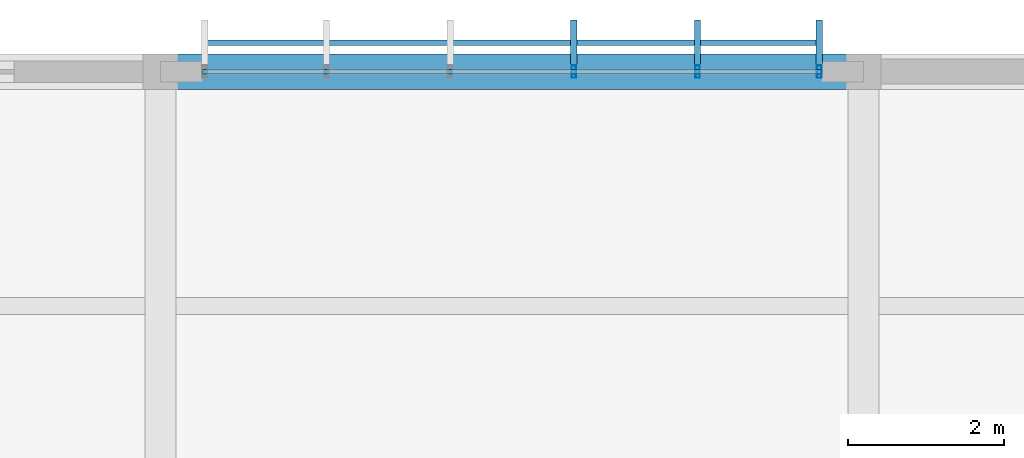
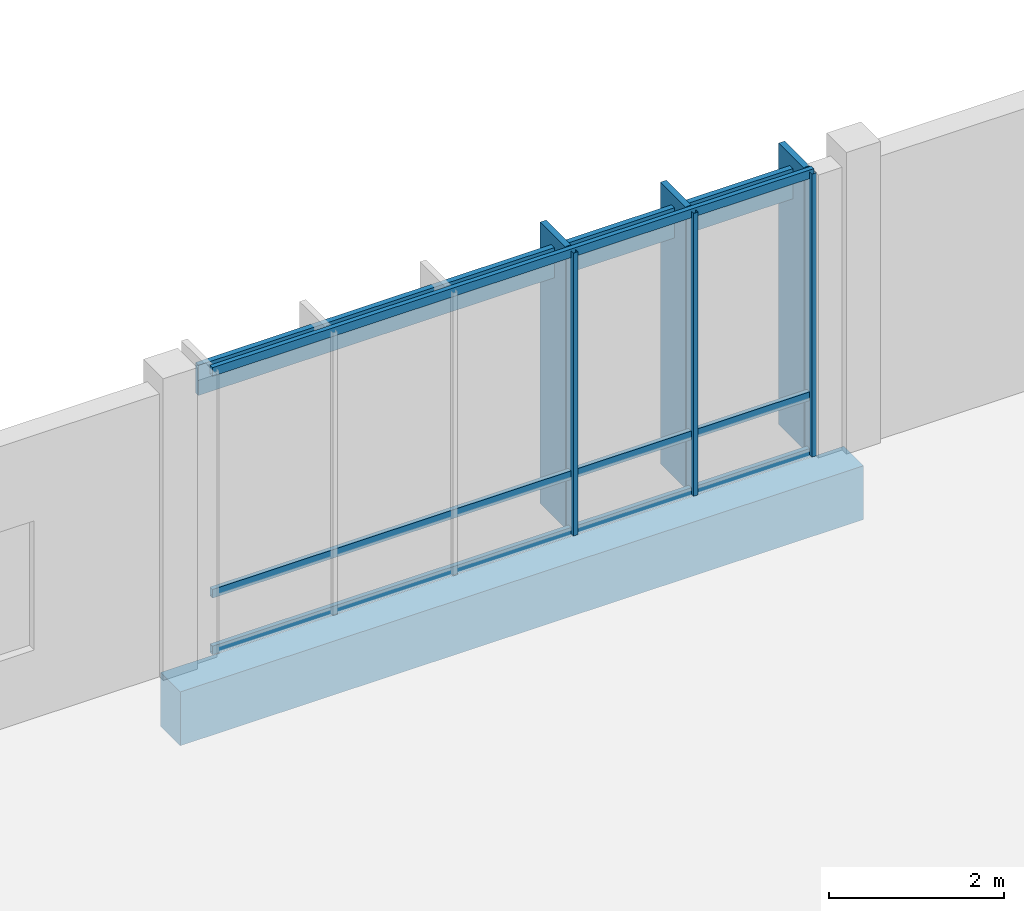
# One storey, part 69 of 94: 10 members, 1 beam, 1 element without a shape of its own.
"""IFC4 building model written with IfcOpenShell, lengths in metres."""

from ifc_helpers import new_model, si_unit, direction, frame, origin, origin_2d, place, context, subcontext, project, spatial, rectangle, hollow_rectangle, extrude, material, material_profile, profile_set, type_object, element, aggregate, save


model = new_model("IFC4")

# Units and contexts
model_context = context("Model", 3, precision=1e-05, world=origin(), true_north=direction((0.0, 1.0)))
body_context = subcontext(model_context, "Body", "Model", "MODEL_VIEW")
ifc_project = project(units=[si_unit("LENGTHUNIT", "METRE"), si_unit("AREAUNIT", "SQUARE_METRE"), si_unit("VOLUMEUNIT", "CUBIC_METRE"), si_unit("PLANEANGLEUNIT", "RADIAN"), si_unit("MASSUNIT", "GRAM", prefix="KILO")], contexts=[model_context])

# Site, building, storey
site_placement = place(None, origin())
site = spatial("IfcSite", under=ifc_project, at=site_placement, CompositionType="ELEMENT")
building_placement = place(site_placement, origin())
building = spatial("IfcBuilding", under=site, at=building_placement, Name="Chiffa Square Polytechnic", CompositionType="ELEMENT")
storey_placement = place(building_placement, frame((0.0, 0.0, 18.0)))
storey = spatial("IfcBuildingStorey", under=building, at=storey_placement, Name="L04", CompositionType="ELEMENT", Elevation=18.0)

# Beam
ifc_material_1 = material(Name="Concrete C35/45", Category="concrete")
ifc_material_profile_1 = material_profile(ifc_material_1, rectangle(XDim=0.449951171875, YDim=0.75, at=origin_2d()), Name="RC 450x750")
ifc_profile_set_1 = profile_set([ifc_material_profile_1], Name="Concrete C35/45")
beam_type = type_object("IfcBeamType", Name="BM-RC-450X750", PredefinedType="BEAM", material=ifc_profile_set_1)
beam_placement = place(storey_placement, frame((93.60009765625, 130.800048828125, -0.614990234375), z_axis=(1.0, 0.0, 0.0), x_axis=(0.0, 1.0, 0.0)))
element("IfcBeam", 1, at=beam_placement, inside=storey, type_object=beam_type, Name="Primary floor girder BM-V5-L04-X-0936-1308", PredefinedType="BEAM", context=body_context, shape_type="SweptSolid", body=[
    extrude(rectangle(XDim=0.449951171875, YDim=0.75, at=origin_2d()), origin(), (0.0, 0.0, 1.0), 9.0),
])

# Curtain wall, members
ifc_material_2 = material(Name="Aluminium EN AW-6060 T66 and glulam shading", Category="wood")
curtain_wall_type = type_object("IfcCurtainWallType", Name="CW-VERT-300X380", PredefinedType="USERDEFINED", material=ifc_material_2)
curtain_wall_placement = place(storey_placement, origin())
curtain_wall = element("IfcCurtainWall", 2, at=curtain_wall_placement, inside=storey, type_object=curtain_wall_type, Name="Curtain wall CW-V5-L04-243", ObjectType="CURTAIN WALL", PredefinedType="USERDEFINED")
ifc_material_3 = material(Name="Aluminium EN AW-6060 T66", Category="aluminium")
ifc_material_profile_2 = material_profile(ifc_material_3, hollow_rectangle(XDim=0.06005859375, YDim=0.159912109375, WallThickness=0.00390625, at=origin_2d()), Name="ALU 60x160x4")
ifc_profile_set_2 = profile_set([ifc_material_profile_2], Name="Aluminium EN AW-6060 T66")
member_type_1 = type_object("IfcMemberType", Name="CWM-ALU-65X150", PredefinedType="MULLION", material=ifc_profile_set_2)
member_1_placement = place(storey_placement, frame((102.034912109375, 130.800048828125, 0.0), z_axis=(0.0, 0.0, 1.0), x_axis=(1.0, 0.0, 0.0)))
member_1 = element("IfcMember", 3, at=member_1_placement, type_object=member_type_1, Name="Curtain wall mullion CW-V5-L04-243-M00", PredefinedType="MULLION", context=body_context, shape_type="SweptSolid", body=[
    extrude(hollow_rectangle(XDim=0.06005859375, YDim=0.159912109375, WallThickness=0.00390625, at=origin_2d()), origin(), (0.0, 0.0, 1.0), 3.93994140625),
])
member_2_placement = place(storey_placement, frame((100.47607421875, 130.800048828125, 0.0), z_axis=(0.0, 0.0, 1.0), x_axis=(1.0, 0.0, 0.0)))
member_2 = element("IfcMember", 4, at=member_2_placement, type_object=member_type_1, Name="Curtain wall mullion CW-V5-L04-243-M01", PredefinedType="MULLION", context=body_context, shape_type="SweptSolid", body=[
    extrude(hollow_rectangle(XDim=0.06005859375, YDim=0.159912109375, WallThickness=0.00390625, at=origin_2d()), origin(), (0.0, 0.0, 1.0), 3.93994140625),
])
member_3_placement = place(storey_placement, frame((98.89208984375, 130.800048828125, 0.0), z_axis=(0.0, 0.0, 1.0), x_axis=(1.0, 0.0, 0.0)))
member_3 = element("IfcMember", 5, at=member_3_placement, type_object=member_type_1, Name="Curtain wall mullion CW-V5-L04-243-M02", PredefinedType="MULLION", context=body_context, shape_type="SweptSolid", body=[
    extrude(hollow_rectangle(XDim=0.06005859375, YDim=0.159912109375, WallThickness=0.00390625, at=origin_2d()), origin(), (0.0, 0.0, 1.0), 3.93994140625),
])
ifc_material_4 = material(Name="Glulam GL28h", Category="wood")
ifc_material_profile_3 = material_profile(ifc_material_4, rectangle(XDim=0.080078125, YDim=0.580078125, at=origin_2d()), Name="GL28h 80x580")
ifc_profile_set_3 = profile_set([ifc_material_profile_3], Name="Glulam GL28h")
member_type_2 = type_object("IfcMemberType", Name="CWM-GL-80X580", PredefinedType="MULLION", material=ifc_profile_set_3)
member_4_placement = place(storey_placement, frame((102.034912109375, 131.172119140625, 0.010009765625), z_axis=(0.0, 0.0, 1.0), x_axis=(-1.0, 0.0, 0.0)))
member_4 = element("IfcMember", 6, at=member_4_placement, type_object=member_type_2, Name="Exterior glulam solar fin CW-V5-L04-243-FN00", PredefinedType="MULLION", context=body_context, shape_type="SweptSolid", body=[
    extrude(rectangle(XDim=0.080078125, YDim=0.580078125, at=origin_2d()), origin(), (0.0, 0.0, 1.0), 3.919921875),
])
member_5_placement = place(storey_placement, frame((100.47607421875, 131.172119140625, 0.010009765625), z_axis=(0.0, 0.0, 1.0), x_axis=(-1.0, 0.0, 0.0)))
member_5 = element("IfcMember", 7, at=member_5_placement, type_object=member_type_2, Name="Exterior glulam solar fin CW-V5-L04-243-FN01", PredefinedType="MULLION", context=body_context, shape_type="SweptSolid", body=[
    extrude(rectangle(XDim=0.080078125, YDim=0.580078125, at=origin_2d()), origin(), (0.0, 0.0, 1.0), 3.919921875),
])
member_6_placement = place(storey_placement, frame((98.89208984375, 131.172119140625, 0.010009765625), z_axis=(0.0, 0.0, 1.0), x_axis=(-1.0, 0.0, 0.0)))
member_6 = element("IfcMember", 8, at=member_6_placement, type_object=member_type_2, Name="Exterior glulam solar fin CW-V5-L04-243-FN02", PredefinedType="MULLION", context=body_context, shape_type="SweptSolid", body=[
    extrude(rectangle(XDim=0.080078125, YDim=0.580078125, at=origin_2d()), origin(), (0.0, 0.0, 1.0), 3.919921875),
])
ifc_material_profile_4 = material_profile(ifc_material_3, hollow_rectangle(XDim=0.06005859375, YDim=0.1201171875, WallThickness=0.00390625, at=origin_2d()), Name="ALU 60x120x4")
ifc_profile_set_4 = profile_set([ifc_material_profile_4], Name="Aluminium EN AW-6060 T66")
member_type_3 = type_object("IfcMemberType", Name="CWT-ALU-65X120", PredefinedType="USERDEFINED", material=ifc_profile_set_4)
member_7_placement = place(storey_placement, frame((102.06201171875, 130.800048828125, 0.030029296875), z_axis=(-1.0, 0.0, 0.0), x_axis=(0.0, -1.0, 0.0)))
member_7 = element("IfcMember", 9, at=member_7_placement, type_object=member_type_3, Name="Curtain wall transom CW-V5-L04-243-T01", ObjectType="TRANSOM", PredefinedType="USERDEFINED", context=body_context, shape_type="SweptSolid", body=[
    extrude(hollow_rectangle(XDim=0.06005859375, YDim=0.1201171875, WallThickness=0.00390625, at=origin_2d()), origin(), (0.0, 0.0, 1.0), 7.924072265625),
])
member_8_placement = place(storey_placement, frame((102.06201171875, 130.800048828125, 0.820068359375), z_axis=(-1.0, 0.0, 0.0), x_axis=(0.0, -1.0, 0.0)))
member_8 = element("IfcMember", 10, at=member_8_placement, type_object=member_type_3, Name="Curtain wall transom CW-V5-L04-243-T02", ObjectType="TRANSOM", PredefinedType="USERDEFINED", context=body_context, shape_type="SweptSolid", body=[
    extrude(hollow_rectangle(XDim=0.06005859375, YDim=0.1201171875, WallThickness=0.00390625, at=origin_2d()), origin(), (0.0, 0.0, 1.0), 7.924072265625),
])
member_9_placement = place(storey_placement, frame((102.06201171875, 130.800048828125, 3.909912109375), z_axis=(-1.0, 0.0, 0.0), x_axis=(0.0, -1.0, 0.0)))
member_9 = element("IfcMember", 11, at=member_9_placement, type_object=member_type_3, Name="Curtain wall transom CW-V5-L04-243-T03", ObjectType="TRANSOM", PredefinedType="USERDEFINED", context=body_context, shape_type="SweptSolid", body=[
    extrude(hollow_rectangle(XDim=0.06005859375, YDim=0.1201171875, WallThickness=0.00390625, at=origin_2d()), origin(), (0.0, 0.0, 1.0), 7.924072265625),
])
ifc_material_profile_5 = material_profile(ifc_material_4, rectangle(XDim=0.070068359375, YDim=0.419921875, at=origin_2d()), Name="GL28h 70x420")
ifc_profile_set_5 = profile_set([ifc_material_profile_5], Name="Glulam GL28h")
member_type_4 = type_object("IfcMemberType", Name="CWT-GL-70X420", PredefinedType="USERDEFINED", material=ifc_profile_set_5)
member_10_placement = place(storey_placement, frame((102.034912109375, 131.172119140625, 3.56005859375), z_axis=(-1.0, 0.0, 0.0), x_axis=(0.0, -1.0, 0.0)))
member_10 = element("IfcMember", 12, at=member_10_placement, type_object=member_type_4, Name="Exterior glulam brise-soleil CW-V5-L04-243-BS01", ObjectType="TRANSOM", PredefinedType="USERDEFINED", context=body_context, shape_type="SweptSolid", body=[
    extrude(rectangle(XDim=0.070068359375, YDim=0.419921875, at=origin_2d()), origin(), (0.0, 0.0, 1.0), 7.869873046875),
])
aggregate(curtain_wall, [member_1, member_4, member_2, member_5, member_3, member_6, member_7, member_8, member_9, member_10])

save(model, "model.ifc")
